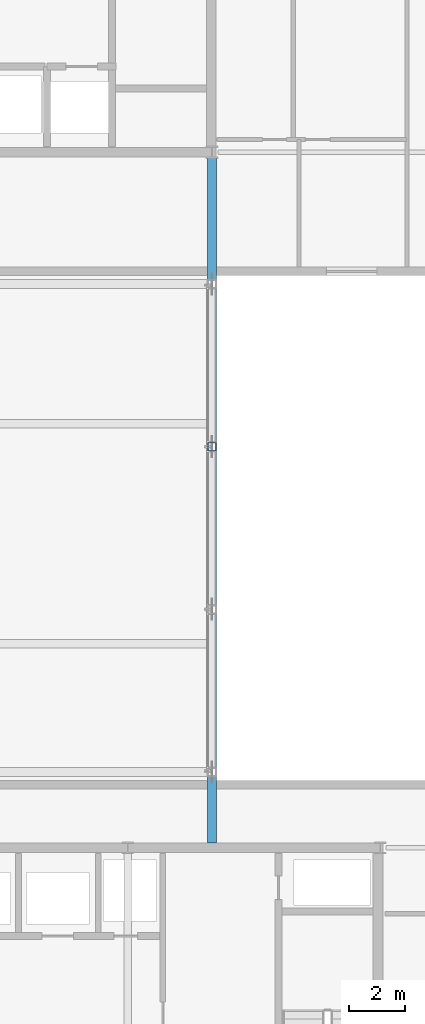
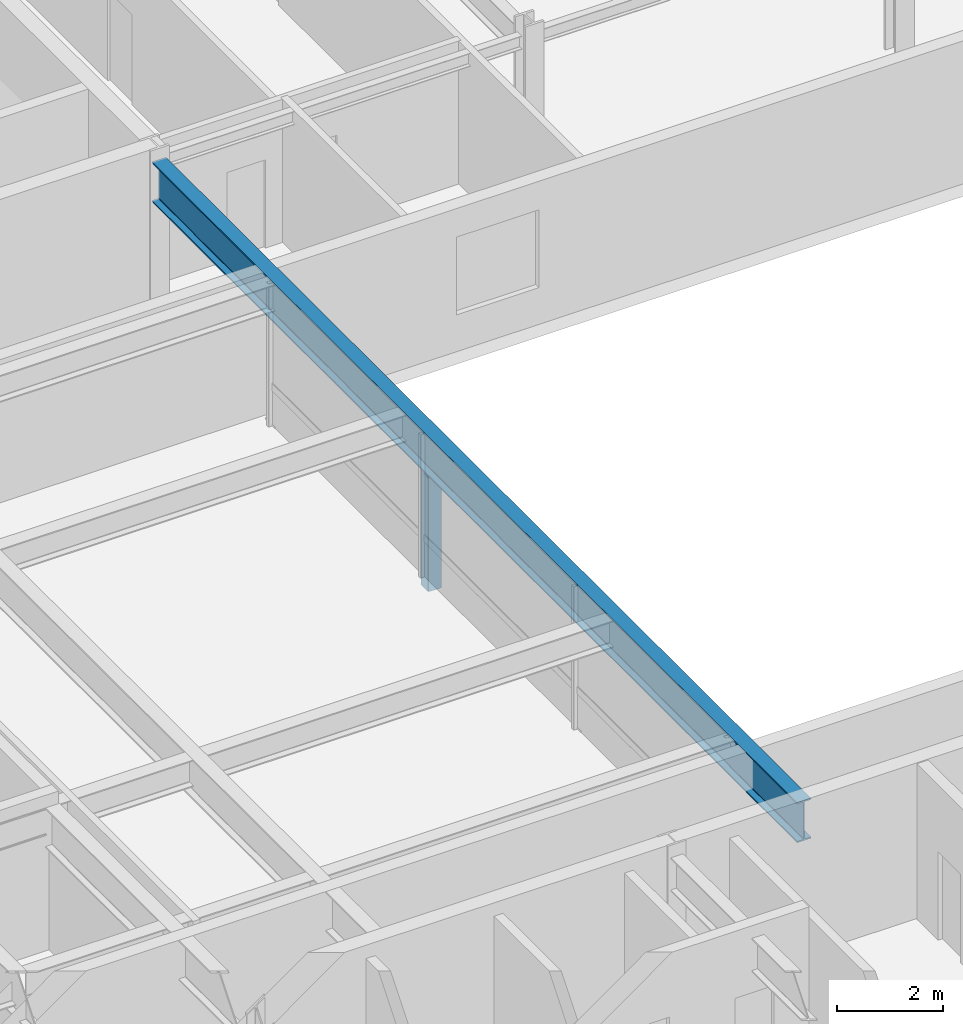
# One storey, part 11 of 36: 1 beam, 1 member.
"""IFC4 building model written with IfcOpenShell, lengths in metres."""

from ifc_helpers import new_model, si_unit, direction, frame, origin, origin_2d, place, context, subcontext, project, spatial, hollow_rectangle, i_section, extrude, material, material_profile, profile_set, type_object, element, save


model = new_model("IFC4")

# Units and contexts
model_context = context("Model", 3, precision=1e-05, world=origin(), true_north=direction((0.0, 1.0)))
body_context = subcontext(model_context, "Body", "Model", "MODEL_VIEW")
ifc_project = project(units=[si_unit("LENGTHUNIT", "METRE"), si_unit("AREAUNIT", "SQUARE_METRE"), si_unit("VOLUMEUNIT", "CUBIC_METRE"), si_unit("PLANEANGLEUNIT", "RADIAN"), si_unit("MASSUNIT", "GRAM", prefix="KILO")], contexts=[model_context])

# Site, building, storey
site_placement = place(None, origin())
site = spatial("IfcSite", under=ifc_project, at=site_placement, CompositionType="ELEMENT")
building_placement = place(site_placement, origin())
building = spatial("IfcBuilding", under=site, at=building_placement, Name="Korimba Cascade Residences", CompositionType="ELEMENT")
storey_placement = place(building_placement, frame((0.0, 0.0, 139.300048828125)))
storey = spatial("IfcBuildingStorey", under=building, at=storey_placement, Name="L40", CompositionType="ELEMENT", Elevation=139.300048828125)

# Beam
ifc_material = material(Name="Steel S460", Category="steel")
ifc_material_profile_1 = material_profile(ifc_material, i_section(OverallWidth=0.3076171875, OverallDepth=0.926513671875, WebThickness=0.01953125, FlangeThickness=0.031982421875, FilletRadius=0.01904296875, at=origin_2d()), Name="Steel S460")
ifc_profile_set_1 = profile_set([ifc_material_profile_1], Name="Steel S460")
beam_type = type_object("IfcBeamType", Name="BM-STL-UB914B", PredefinedType="BEAM", material=ifc_profile_set_1)
beam_placement = place(storey_placement, frame((112.10009765625, 30.574951171875, 2.8466796875), z_axis=(0.0, 1.0, 0.0), x_axis=(-1.0, 0.0, 0.0)))
element("IfcBeam", 1, at=beam_placement, inside=storey, type_object=beam_type, Name="L40 Rigid Mid-Bridge Truss Chord 6", PredefinedType="BEAM", context=body_context, shape_type="SweptSolid", body=[
    extrude(i_section(OverallWidth=0.3076171875, OverallDepth=0.926513671875, WebThickness=0.01953125, FlangeThickness=0.031982421875, FilletRadius=0.01904296875, at=origin_2d()), origin(), (0.0, 0.0, 1.0), 24.449951171875),
])

# Member
ifc_material_profile_2 = material_profile(ifc_material, hollow_rectangle(XDim=0.300048828125, YDim=0.300048828125, WallThickness=0.012451171875, InnerFilletRadius=0.012451171875, OuterFilletRadius=0.02490234375, at=origin_2d()), Name="Steel S460")
ifc_profile_set_2 = profile_set([ifc_material_profile_2], Name="Steel S460")
member_type = type_object("IfcMemberType", Name="MEM-BRG-STR300", PredefinedType="STRUT", material=ifc_profile_set_2)
member_placement = place(storey_placement, frame((112.10009765625, 44.699951171875, -0.2900390625), z_axis=(0.0, 0.0, 1.0), x_axis=(1.0, 0.0, 0.0)))
element("IfcMember", 2, at=member_placement, inside=storey, type_object=member_type, Name="L40 Mid-Bridge Warren Web Post E3", PredefinedType="STRUT", context=body_context, shape_type="SweptSolid", body=[
    extrude(hollow_rectangle(XDim=0.300048828125, YDim=0.300048828125, WallThickness=0.012451171875, InnerFilletRadius=0.012451171875, OuterFilletRadius=0.02490234375, at=origin_2d()), origin(), (0.0, 0.0, 1.0), 2.67333984375),
])

save(model, "model.ifc")
